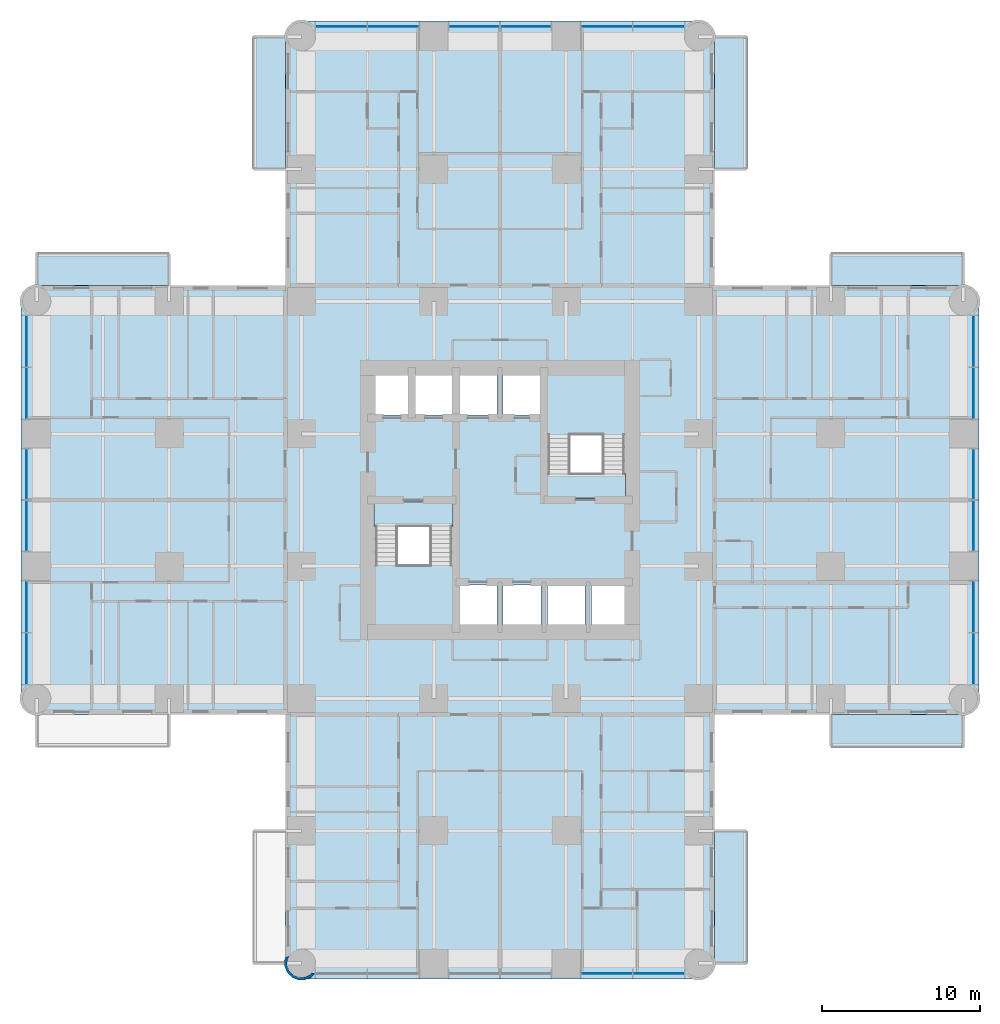
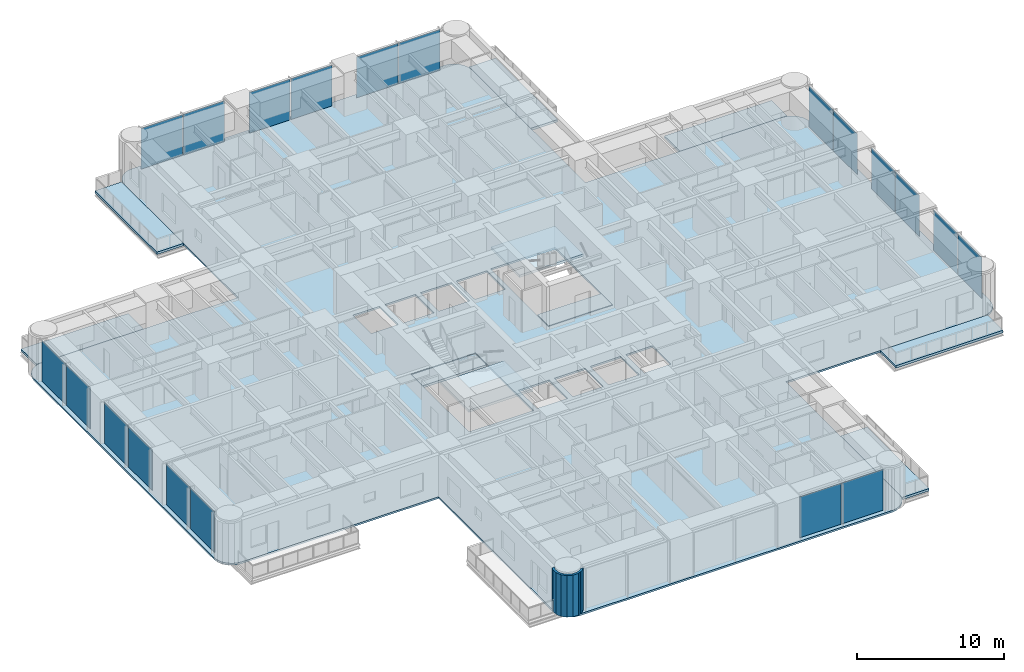
# One storey, part 6 of 17: 20 plates, 11 slabs, 1 wall, 6 elements without a shape of their own.
"""IFC4 building model written with IfcOpenShell, lengths in metres."""

from ifc_helpers import new_model, si_unit, direction, frame, origin, origin_2d, place, context, subcontext, project, spatial, polyline, rectangle, outline, extrude, material, layer, layer_set, type_object, element, aggregate, save


model = new_model("IFC4")

# Units and contexts
model_context = context("Model", 3, precision=1e-05, world=origin(), true_north=direction((0.0, 1.0)))
body_context = subcontext(model_context, "Body", "Model", "MODEL_VIEW")
ifc_project = project(units=[si_unit("LENGTHUNIT", "METRE"), si_unit("AREAUNIT", "SQUARE_METRE"), si_unit("VOLUMEUNIT", "CUBIC_METRE"), si_unit("PLANEANGLEUNIT", "RADIAN"), si_unit("MASSUNIT", "GRAM", prefix="KILO")], contexts=[model_context])

# Site, building, storey
site_placement = place(None, origin())
site = spatial("IfcSite", under=ifc_project, at=site_placement, CompositionType="ELEMENT")
building_placement = place(site_placement, origin())
building = spatial("IfcBuilding", under=site, at=building_placement, Name="Torre Alcanfor", CompositionType="ELEMENT")
storey_placement = place(building_placement, frame((0.0, 0.0, 52.5)))
storey = spatial("IfcBuildingStorey", under=building, at=storey_placement, Name="L12", CompositionType="ELEMENT", Elevation=52.5)

# Slabs
ifc_material_1 = material(Name="Concrete f'c 35 MPa", Category="concrete")
ifc_layer_1 = layer(ifc_material_1, 0.199951171875)
ifc_layer_set_1 = layer_set([ifc_layer_1], Name="Balcony slab 200")
slab_type_1 = type_object("IfcSlabType", Name="Balcony slab 200", PredefinedType="FLOOR", material=ifc_layer_set_1)
slab_1_placement = place(storey_placement, frame((0.0, 0.0, -0.199951171875)))
element("IfcSlab", 1, at=slab_1_placement, inside=storey, type_object=slab_type_1, Name="Balcony L12-N1", PredefinedType="FLOOR", context=body_context, shape_type="SweptSolid", body=[
    extrude(outline(polyline([(15.800048828125, 50.39990234375), (15.800048828125, 58.800048828125), (13.699951171875, 58.800048828125), (13.699951171875, 50.39990234375), (15.800048828125, 50.39990234375)])), origin(), (0.0, 0.0, 1.0), 0.199951171875),
])
slab_2_placement = place(storey_placement, frame((0.0, 0.0, -0.199951171875)))
element("IfcSlab", 2, at=slab_2_placement, inside=storey, type_object=slab_type_1, Name="Balcony L12-N2", PredefinedType="FLOOR", context=body_context, shape_type="SweptSolid", body=[
    extrude(outline(polyline([(45.10009765625, 50.39990234375), (45.10009765625, 58.800048828125), (43.0, 58.800048828125), (43.0, 50.39990234375), (45.10009765625, 50.39990234375)])), origin(), (0.0, 0.0, 1.0), 0.199951171875),
])
slab_3_placement = place(storey_placement, frame((0.0, 0.0, -0.199951171875)))
element("IfcSlab", 3, at=slab_3_placement, inside=storey, type_object=slab_type_1, Name="Balcony L12-E1", PredefinedType="FLOOR", context=body_context, shape_type="SweptSolid", body=[
    extrude(outline(polyline([(50.39990234375, 43.0), (58.800048828125, 43.0), (58.800048828125, 45.10009765625), (50.39990234375, 45.10009765625), (50.39990234375, 43.0)])), origin(), (0.0, 0.0, 1.0), 0.199951171875),
])
slab_4_placement = place(storey_placement, frame((0.0, 0.0, -0.199951171875)))
element("IfcSlab", 4, at=slab_4_placement, inside=storey, type_object=slab_type_1, Name="Balcony L12-E2", PredefinedType="FLOOR", context=body_context, shape_type="SweptSolid", body=[
    extrude(outline(polyline([(50.39990234375, 13.699951171875), (58.800048828125, 13.699951171875), (58.800048828125, 15.800048828125), (50.39990234375, 15.800048828125), (50.39990234375, 13.699951171875)])), origin(), (0.0, 0.0, 1.0), 0.199951171875),
])
slab_5_placement = place(storey_placement, frame((0.0, 0.0, -0.199951171875)))
element("IfcSlab", 5, at=slab_5_placement, inside=storey, type_object=slab_type_1, Name="Balcony L12-S1", PredefinedType="FLOOR", context=body_context, shape_type="SweptSolid", body=[
    extrude(outline(polyline([(43.0, 8.39990234375), (43.0, 0.0), (45.10009765625, 0.0), (45.10009765625, 8.39990234375), (43.0, 8.39990234375)])), origin(), (0.0, 0.0, 1.0), 0.199951171875),
])
slab_6_placement = place(storey_placement, frame((0.0, 0.0, -0.199951171875)))
element("IfcSlab", 6, at=slab_6_placement, inside=storey, type_object=slab_type_1, Name="Balcony L12-W2", PredefinedType="FLOOR", context=body_context, shape_type="SweptSolid", body=[
    extrude(outline(polyline([(8.39990234375, 45.10009765625), (0.0, 45.10009765625), (0.0, 43.0), (8.39990234375, 43.0), (8.39990234375, 45.10009765625)])), origin(), (0.0, 0.0, 1.0), 0.199951171875),
])

# Curtain wall, plates
ifc_material_2 = material(Name="Aluminium and glass", Category="aluminium")
curtain_wall_type = type_object("IfcCurtainWallType", Name="CW-A unitised apartment glazing with vertical FIN", PredefinedType="NOTDEFINED", material=ifc_material_2)
curtain_wall_1_placement = place(storey_placement, origin())
curtain_wall_1 = element("IfcCurtainWall", 7, at=curtain_wall_1_placement, inside=storey, type_object=curtain_wall_type, Name="Curtain wall CW-A L12 2", PredefinedType="NOTDEFINED")
ifc_material_3 = material(Name="Glass", Category="glass")
ifc_layer_2 = layer(ifc_material_3, 0.028076171875)
ifc_layer_set_2 = layer_set([ifc_layer_2], Name="CW-A clear double glazed unit")
plate_type = type_object("IfcPlateType", Name="CW-A clear double glazed unit", PredefinedType="CURTAIN_PANEL", material=ifc_layer_set_2)
plate_1_placement = place(storey_placement, frame((-0.64990234375, 39.484130859375, 0.0), z_axis=(0.0, 0.0, 1.0), x_axis=(0.0, -1.0, 0.0)))
plate_1 = element("IfcPlate", 8, at=plate_1_placement, type_object=plate_type, Name="CW-A panel 1.1.1", PredefinedType="CURTAIN_PANEL", context=body_context, shape_type="SweptSolid", body=[
    extrude(rectangle(XDim=3.232666015625, YDim=0.028076171875, at=origin_2d()), origin(), (0.0, 0.0, 1.0), 3.385009765625),
])
plate_2_placement = place(storey_placement, frame((-0.64990234375, 36.186279296875, 0.0), z_axis=(0.0, 0.0, 1.0), x_axis=(0.0, -1.0, 0.0)))
plate_2 = element("IfcPlate", 9, at=plate_2_placement, type_object=plate_type, Name="CW-A panel 1.2.1", PredefinedType="CURTAIN_PANEL", context=body_context, shape_type="SweptSolid", body=[
    extrude(rectangle(XDim=3.232666015625, YDim=0.028076171875, at=origin_2d()), origin(), (0.0, 0.0, 1.0), 3.385009765625),
])
plate_3_placement = place(storey_placement, frame((-0.64990234375, 31.03125, 0.0), z_axis=(0.0, 0.0, 1.0), x_axis=(0.0, -1.0, 0.0)))
plate_3 = element("IfcPlate", 10, at=plate_3_placement, type_object=plate_type, Name="CW-A panel 2.1.1", PredefinedType="CURTAIN_PANEL", context=body_context, shape_type="SweptSolid", body=[
    extrude(rectangle(XDim=3.197509765625, YDim=0.028076171875, at=origin_2d()), origin(), (0.0, 0.0, 1.0), 3.385009765625),
])
plate_4_placement = place(storey_placement, frame((-0.64990234375, 27.768798828125, 0.0), z_axis=(0.0, 0.0, 1.0), x_axis=(0.0, -1.0, 0.0)))
plate_4 = element("IfcPlate", 11, at=plate_4_placement, type_object=plate_type, Name="CW-A panel 2.2.1", PredefinedType="CURTAIN_PANEL", context=body_context, shape_type="SweptSolid", body=[
    extrude(rectangle(XDim=3.197509765625, YDim=0.028076171875, at=origin_2d()), origin(), (0.0, 0.0, 1.0), 3.385009765625),
])
plate_5_placement = place(storey_placement, frame((-0.64990234375, 22.613525390625, 0.0), z_axis=(0.0, 0.0, 1.0), x_axis=(0.0, -1.0, 0.0)))
plate_5 = element("IfcPlate", 12, at=plate_5_placement, type_object=plate_type, Name="CW-A panel 3.1.1", PredefinedType="CURTAIN_PANEL", context=body_context, shape_type="SweptSolid", body=[
    extrude(rectangle(XDim=3.232666015625, YDim=0.028076171875, at=origin_2d()), origin(), (0.0, 0.0, 1.0), 3.385009765625),
])
plate_6_placement = place(storey_placement, frame((-0.64990234375, 19.31591796875, 0.0), z_axis=(0.0, 0.0, 1.0), x_axis=(0.0, -1.0, 0.0)))
plate_6 = element("IfcPlate", 13, at=plate_6_placement, type_object=plate_type, Name="CW-A panel 3.2.1", PredefinedType="CURTAIN_PANEL", context=body_context, shape_type="SweptSolid", body=[
    extrude(rectangle(XDim=3.232666015625, YDim=0.028076171875, at=origin_2d()), origin(), (0.0, 0.0, 1.0), 3.385009765625),
])
aggregate(curtain_wall_1, [plate_1, plate_2, plate_3, plate_4, plate_5, plate_6])

curtain_wall_2_placement = place(storey_placement, origin())
curtain_wall_2 = element("IfcCurtainWall", 14, at=curtain_wall_2_placement, inside=storey, type_object=curtain_wall_type, Name="Curtain wall CW-A L12 5", PredefinedType="NOTDEFINED")
plate_7_placement = place(storey_placement, frame((36.186279296875, -0.64990234375, 0.0), z_axis=(0.0, 0.0, 1.0), x_axis=(1.0, 0.0, 0.0)))
plate_7 = element("IfcPlate", 15, at=plate_7_placement, type_object=plate_type, Name="CW-A panel 3.1.1", PredefinedType="CURTAIN_PANEL", context=body_context, shape_type="SweptSolid", body=[
    extrude(rectangle(XDim=3.232666015625, YDim=0.028076171875, at=origin_2d()), origin(), (0.0, 0.0, 1.0), 3.385009765625),
])
plate_8_placement = place(storey_placement, frame((39.484130859375, -0.64990234375, 0.0), z_axis=(0.0, 0.0, 1.0), x_axis=(1.0, 0.0, 0.0)))
plate_8 = element("IfcPlate", 16, at=plate_8_placement, type_object=plate_type, Name="CW-A panel 3.2.1", PredefinedType="CURTAIN_PANEL", context=body_context, shape_type="SweptSolid", body=[
    extrude(rectangle(XDim=3.232666015625, YDim=0.028076171875, at=origin_2d()), origin(), (0.0, 0.0, 1.0), 3.385009765625),
])
aggregate(curtain_wall_2, [plate_7, plate_8])

curtain_wall_3_placement = place(storey_placement, origin())
curtain_wall_3 = element("IfcCurtainWall", 17, at=curtain_wall_3_placement, inside=storey, type_object=curtain_wall_type, Name="Curtain wall CW-A L12 8", PredefinedType="NOTDEFINED")
plate_9_placement = place(storey_placement, frame((59.449951171875, 19.31591796875, 0.0), z_axis=(0.0, 0.0, 1.0), x_axis=(0.0, 1.0, 0.0)))
plate_9 = element("IfcPlate", 18, at=plate_9_placement, type_object=plate_type, Name="CW-A panel 1.1.1", PredefinedType="CURTAIN_PANEL", context=body_context, shape_type="SweptSolid", body=[
    extrude(rectangle(XDim=3.232666015625, YDim=0.028076171875, at=origin_2d()), origin(), (0.0, 0.0, 1.0), 3.385009765625),
])
plate_10_placement = place(storey_placement, frame((59.449951171875, 22.613525390625, 0.0), z_axis=(0.0, 0.0, 1.0), x_axis=(0.0, 1.0, 0.0)))
plate_10 = element("IfcPlate", 19, at=plate_10_placement, type_object=plate_type, Name="CW-A panel 1.2.1", PredefinedType="CURTAIN_PANEL", context=body_context, shape_type="SweptSolid", body=[
    extrude(rectangle(XDim=3.232666015625, YDim=0.028076171875, at=origin_2d()), origin(), (0.0, 0.0, 1.0), 3.385009765625),
])
plate_11_placement = place(storey_placement, frame((59.449951171875, 27.768798828125, 0.0), z_axis=(0.0, 0.0, 1.0), x_axis=(0.0, 1.0, 0.0)))
plate_11 = element("IfcPlate", 20, at=plate_11_placement, type_object=plate_type, Name="CW-A panel 2.1.1", PredefinedType="CURTAIN_PANEL", context=body_context, shape_type="SweptSolid", body=[
    extrude(rectangle(XDim=3.197509765625, YDim=0.028076171875, at=origin_2d()), origin(), (0.0, 0.0, 1.0), 3.385009765625),
])
plate_12_placement = place(storey_placement, frame((59.449951171875, 31.03125, 0.0), z_axis=(0.0, 0.0, 1.0), x_axis=(0.0, 1.0, 0.0)))
plate_12 = element("IfcPlate", 21, at=plate_12_placement, type_object=plate_type, Name="CW-A panel 2.2.1", PredefinedType="CURTAIN_PANEL", context=body_context, shape_type="SweptSolid", body=[
    extrude(rectangle(XDim=3.197509765625, YDim=0.028076171875, at=origin_2d()), origin(), (0.0, 0.0, 1.0), 3.385009765625),
])
plate_13_placement = place(storey_placement, frame((59.449951171875, 36.186279296875, 0.0), z_axis=(0.0, 0.0, 1.0), x_axis=(0.0, 1.0, 0.0)))
plate_13 = element("IfcPlate", 22, at=plate_13_placement, type_object=plate_type, Name="CW-A panel 3.1.1", PredefinedType="CURTAIN_PANEL", context=body_context, shape_type="SweptSolid", body=[
    extrude(rectangle(XDim=3.232666015625, YDim=0.028076171875, at=origin_2d()), origin(), (0.0, 0.0, 1.0), 3.385009765625),
])
plate_14_placement = place(storey_placement, frame((59.449951171875, 39.484130859375, 0.0), z_axis=(0.0, 0.0, 1.0), x_axis=(0.0, 1.0, 0.0)))
plate_14 = element("IfcPlate", 23, at=plate_14_placement, type_object=plate_type, Name="CW-A panel 3.2.1", PredefinedType="CURTAIN_PANEL", context=body_context, shape_type="SweptSolid", body=[
    extrude(rectangle(XDim=3.232666015625, YDim=0.028076171875, at=origin_2d()), origin(), (0.0, 0.0, 1.0), 3.385009765625),
])
aggregate(curtain_wall_3, [plate_9, plate_10, plate_11, plate_12, plate_13, plate_14])

curtain_wall_4_placement = place(storey_placement, origin())
curtain_wall_4 = element("IfcCurtainWall", 24, at=curtain_wall_4_placement, inside=storey, type_object=curtain_wall_type, Name="Curtain wall CW-A L12 11", PredefinedType="NOTDEFINED")
plate_15_placement = place(storey_placement, frame((39.484130859375, 59.449951171875, 0.0), z_axis=(0.0, 0.0, 1.0), x_axis=(-1.0, 0.0, 0.0)))
plate_15 = element("IfcPlate", 25, at=plate_15_placement, type_object=plate_type, Name="CW-A panel 1.1.1", PredefinedType="CURTAIN_PANEL", context=body_context, shape_type="SweptSolid", body=[
    extrude(rectangle(XDim=3.232666015625, YDim=0.028076171875, at=origin_2d()), origin(), (0.0, 0.0, 1.0), 3.385009765625),
])
plate_16_placement = place(storey_placement, frame((36.186279296875, 59.449951171875, 0.0), z_axis=(0.0, 0.0, 1.0), x_axis=(-1.0, 0.0, 0.0)))
plate_16 = element("IfcPlate", 26, at=plate_16_placement, type_object=plate_type, Name="CW-A panel 1.2.1", PredefinedType="CURTAIN_PANEL", context=body_context, shape_type="SweptSolid", body=[
    extrude(rectangle(XDim=3.232666015625, YDim=0.028076171875, at=origin_2d()), origin(), (0.0, 0.0, 1.0), 3.385009765625),
])
plate_17_placement = place(storey_placement, frame((31.03125, 59.449951171875, 0.0), z_axis=(0.0, 0.0, 1.0), x_axis=(-1.0, 0.0, 0.0)))
plate_17 = element("IfcPlate", 27, at=plate_17_placement, type_object=plate_type, Name="CW-A panel 2.1.1", PredefinedType="CURTAIN_PANEL", context=body_context, shape_type="SweptSolid", body=[
    extrude(rectangle(XDim=3.197509765625, YDim=0.028076171875, at=origin_2d()), origin(), (0.0, 0.0, 1.0), 3.385009765625),
])
plate_18_placement = place(storey_placement, frame((27.768798828125, 59.449951171875, 0.0), z_axis=(0.0, 0.0, 1.0), x_axis=(-1.0, 0.0, 0.0)))
plate_18 = element("IfcPlate", 28, at=plate_18_placement, type_object=plate_type, Name="CW-A panel 2.2.1", PredefinedType="CURTAIN_PANEL", context=body_context, shape_type="SweptSolid", body=[
    extrude(rectangle(XDim=3.197509765625, YDim=0.028076171875, at=origin_2d()), origin(), (0.0, 0.0, 1.0), 3.385009765625),
])
plate_19_placement = place(storey_placement, frame((22.613525390625, 59.449951171875, 0.0), z_axis=(0.0, 0.0, 1.0), x_axis=(-1.0, 0.0, 0.0)))
plate_19 = element("IfcPlate", 29, at=plate_19_placement, type_object=plate_type, Name="CW-A panel 3.1.1", PredefinedType="CURTAIN_PANEL", context=body_context, shape_type="SweptSolid", body=[
    extrude(rectangle(XDim=3.232666015625, YDim=0.028076171875, at=origin_2d()), origin(), (0.0, 0.0, 1.0), 3.385009765625),
])
plate_20_placement = place(storey_placement, frame((19.31591796875, 59.449951171875, 0.0), z_axis=(0.0, 0.0, 1.0), x_axis=(-1.0, 0.0, 0.0)))
plate_20 = element("IfcPlate", 30, at=plate_20_placement, type_object=plate_type, Name="CW-A panel 3.2.1", PredefinedType="CURTAIN_PANEL", context=body_context, shape_type="SweptSolid", body=[
    extrude(rectangle(XDim=3.232666015625, YDim=0.028076171875, at=origin_2d()), origin(), (0.0, 0.0, 1.0), 3.385009765625),
])
aggregate(curtain_wall_4, [plate_15, plate_16, plate_17, plate_18, plate_19, plate_20])

# Slab
ifc_material_4 = material(Name="Concrete f'c 35 MPa", Category="concrete")
ifc_layer_3 = layer(ifc_material_4, 0.14990234375)
ifc_layer_set_3 = layer_set([ifc_layer_3], Name="Composite floor 150 on metal deck")
slab_type_2 = type_object("IfcSlabType", Name="Composite floor 150 on metal deck", PredefinedType="FLOOR", material=ifc_layer_set_3)
slab_7_placement = place(storey_placement, frame((0.0, 0.0, -0.14990234375)))
element("IfcSlab", 31, at=slab_7_placement, inside=storey, type_object=slab_type_2, Name="Floor slab L12", PredefinedType="FLOOR", context=body_context, shape_type="SweptSolid", body=[
    extrude(outline(polyline([(15.800048828125, 43.0), (0.39990234375, 43.0), (0.03759765625, 42.952392578125), (-0.300048828125, 42.8125), (-0.58984375, 42.58984375), (-0.8125, 42.300048828125), (-0.952392578125, 41.96240234375), (-1.0, 41.60009765625), (-1.0, 17.199951171875), (-0.952392578125, 16.837646484375), (-0.8125, 16.5), (-0.58984375, 16.210205078125), (-0.300048828125, 15.987548828125), (0.03759765625, 15.84765625), (0.39990234375, 15.800048828125), (15.800048828125, 15.800048828125), (15.800048828125, 0.39990234375), (15.84765625, 0.03759765625), (15.987548828125, -0.300048828125), (16.210205078125, -0.58984375), (16.5, -0.8125), (16.837646484375, -0.952392578125), (17.199951171875, -1.0), (41.60009765625, -1.0), (41.96240234375, -0.952392578125), (42.300048828125, -0.8125), (42.58984375, -0.58984375), (42.8125, -0.300048828125), (42.952392578125, 0.03759765625), (43.0, 0.39990234375), (43.0, 15.800048828125), (58.39990234375, 15.800048828125), (58.76220703125, 15.84765625), (59.10009765625, 15.987548828125), (59.389892578125, 16.210205078125), (59.6123046875, 16.5), (59.752197265625, 16.837646484375), (59.800048828125, 17.199951171875), (59.800048828125, 41.60009765625), (59.752197265625, 41.96240234375), (59.6123046875, 42.300048828125), (59.389892578125, 42.58984375), (59.10009765625, 42.8125), (58.76220703125, 42.952392578125), (58.39990234375, 43.0), (43.0, 43.0), (43.0, 58.39990234375), (42.952392578125, 58.76220703125), (42.8125, 59.10009765625), (42.58984375, 59.389892578125), (42.300048828125, 59.6123046875), (41.96240234375, 59.752197265625), (41.60009765625, 59.800048828125), (17.199951171875, 59.800048828125), (16.837646484375, 59.752197265625), (16.5, 59.6123046875), (16.210205078125, 59.389892578125), (15.987548828125, 59.10009765625), (15.84765625, 58.76220703125), (15.800048828125, 58.39990234375), (15.800048828125, 43.0)]), holes=[polyline([(21.419921875, 21.419921875), (26.47998046875, 21.419921875), (26.47998046875, 29.280029296875), (21.419921875, 29.280029296875), (21.419921875, 21.419921875)]), polyline([(32.320068359375, 29.52001953125), (37.3798828125, 29.52001953125), (37.3798828125, 37.3798828125), (32.320068359375, 37.3798828125), (32.320068359375, 29.52001953125)]), polyline([(26.800048828125, 21.5), (29.199951171875, 21.5), (29.199951171875, 24.0), (26.800048828125, 24.0), (26.800048828125, 21.5)]), polyline([(29.60009765625, 21.5), (32.0, 21.5), (32.0, 24.0), (29.60009765625, 24.0), (29.60009765625, 21.5)]), polyline([(32.39990234375, 21.5), (34.800048828125, 21.5), (34.800048828125, 24.0), (32.39990234375, 24.0), (32.39990234375, 21.5)]), polyline([(35.199951171875, 21.5), (37.300048828125, 21.5), (37.300048828125, 24.0), (35.199951171875, 24.0), (35.199951171875, 21.5)]), polyline([(21.5, 34.800048828125), (23.60009765625, 34.800048828125), (23.60009765625, 37.300048828125), (21.5, 37.300048828125), (21.5, 34.800048828125)]), polyline([(24.0, 34.800048828125), (26.39990234375, 34.800048828125), (26.39990234375, 37.300048828125), (24.0, 37.300048828125), (24.0, 34.800048828125)]), polyline([(26.800048828125, 34.800048828125), (29.199951171875, 34.800048828125), (29.199951171875, 37.300048828125), (26.800048828125, 37.300048828125), (26.800048828125, 34.800048828125)]), polyline([(29.60009765625, 34.800048828125), (32.0, 34.800048828125), (32.0, 37.300048828125), (29.60009765625, 37.300048828125), (29.60009765625, 34.800048828125)])]), origin(), (0.0, 0.0, 1.0), 0.14990234375),
])

# Stair, slabs
ifc_material_5 = material(Name="Concrete f'c 35 MPa", Category="concrete")
stair_type_1 = type_object("IfcStairType", Name="Exit stair S1 1400 wide", PredefinedType="HALF_TURN_STAIR", material=ifc_material_5)
stair_1_placement = place(storey_placement, origin())
stair_1 = element("IfcStair", 32, at=stair_1_placement, inside=storey, type_object=stair_type_1, Name="Stair S1 L12 to L13", PredefinedType="HALF_TURN_STAIR")
ifc_material_6 = material(Name="Concrete f'c 35 MPa", Category="concrete")
ifc_layer_4 = layer(ifc_material_6, 0.199951171875)
ifc_layer_set_4 = layer_set([ifc_layer_4], Name="Stair landing 200")
slab_type_3 = type_object("IfcSlabType", Name="Stair landing 200", PredefinedType="LANDING", material=ifc_layer_set_4)
slab_8_placement = place(storey_placement, frame((0.0, 0.0, -0.199951171875)))
slab_8 = element("IfcSlab", 33, at=slab_8_placement, type_object=slab_type_3, Name="S1 landing 1", PredefinedType="LANDING", context=body_context, shape_type="SweptSolid", body=[
    extrude(outline(polyline([(21.419921875, 27.699951171875), (26.429931640625, 27.699951171875), (26.429931640625, 29.22998046875), (21.419921875, 29.22998046875), (21.419921875, 27.699951171875)])), origin(), (0.0, 0.0, 1.0), 0.199951171875),
])
slab_9_placement = place(storey_placement, frame((0.0, 0.0, 1.60009765625)))
slab_9 = element("IfcSlab", 34, at=slab_9_placement, type_object=slab_type_3, Name="S1 landing 2", PredefinedType="LANDING", context=body_context, shape_type="SweptSolid", body=[
    extrude(outline(polyline([(21.419921875, 21.419921875), (26.429931640625, 21.419921875), (26.429931640625, 25.280029296875), (21.419921875, 25.280029296875), (21.419921875, 21.419921875)])), origin(), (0.0, 0.0, 1.0), 0.199951171875),
])
aggregate(stair_1, [slab_8, slab_9])

ifc_material_7 = material(Name="Concrete f'c 35 MPa", Category="concrete")
stair_type_2 = type_object("IfcStairType", Name="Exit stair S2 1400 wide", PredefinedType="HALF_TURN_STAIR", material=ifc_material_7)
stair_2_placement = place(storey_placement, origin())
stair_2 = element("IfcStair", 35, at=stair_2_placement, inside=storey, type_object=stair_type_2, Name="Stair S2 L12 to L13", PredefinedType="HALF_TURN_STAIR")
slab_10_placement = place(storey_placement, frame((0.0, 0.0, -0.199951171875)))
slab_10 = element("IfcSlab", 36, at=slab_10_placement, type_object=slab_type_3, Name="S2 landing 1", PredefinedType="LANDING", context=body_context, shape_type="SweptSolid", body=[
    extrude(outline(polyline([(32.3701171875, 29.570068359375), (37.3798828125, 29.570068359375), (37.3798828125, 31.10009765625), (32.3701171875, 31.10009765625), (32.3701171875, 29.570068359375)])), origin(), (0.0, 0.0, 1.0), 0.199951171875),
])
slab_11_placement = place(storey_placement, frame((0.0, 0.0, 1.60009765625)))
slab_11 = element("IfcSlab", 37, at=slab_11_placement, type_object=slab_type_3, Name="S2 landing 2", PredefinedType="LANDING", context=body_context, shape_type="SweptSolid", body=[
    extrude(outline(polyline([(32.3701171875, 33.52001953125), (37.3798828125, 33.52001953125), (37.3798828125, 37.3798828125), (32.3701171875, 37.3798828125), (32.3701171875, 33.52001953125)])), origin(), (0.0, 0.0, 1.0), 0.199951171875),
])
aggregate(stair_2, [slab_10, slab_11])

# Wall
ifc_material_8 = material(Name="Limestone cladding", Category="masonry")
ifc_layer_5 = layer(ifc_material_8, 0.0400390625, Name="Facing")
ifc_material_9 = material(Name="Ventilated air cavity")
ifc_layer_6 = layer(ifc_material_9, 0.02001953125, ventilated=True, Name="Ventilated joint")
ifc_material_10 = material(Name="Mineral wool insulation", Category="insulation")
ifc_layer_7 = layer(ifc_material_10, 0.10009765625, Name="Insulation")
ifc_material_11 = material(Name="Concrete f'c 35 MPa", Category="concrete")
ifc_layer_8 = layer(ifc_material_11, 0.139892578125, Name="Backing")
ifc_layer_set_5 = layer_set([ifc_layer_5, ifc_layer_6, ifc_layer_7, ifc_layer_8], Name="Rounded corner pier stone-clad 300")
wall_type = type_object("IfcWallType", Name="Rounded corner pier stone-clad 300", PredefinedType="SOLIDWALL", material=ifc_layer_set_5)
wall_placement = place(storey_placement, frame((15.890092843, 0.363962863, 0.0), z_axis=(0.0, 0.0, 1.0), x_axis=(-0.377204953059, -0.926129809145, 0.0)))
element("IfcWall", 38, at=wall_placement, inside=storey, type_object=wall_type, Name="Corner pier L12 15", PredefinedType="SOLIDWALL", context=body_context, shape_type="SweptSolid", body=[
    extrude(outline(polyline([(0.36025406326845444, 1.8033251535395152), (0.5088520451897254, 1.7407402151136773), (0.7605729288027181, 1.4858036812916837), (0.8957625945963965, 1.1538802047718164), (0.8938847377533284, 0.7953914035812757), (0.7547773157275899, 0.46510295554213366), (0.4997067670481534, 0.21306387496571194), (0.16778329052828606, 0.07787420917203358), (-0.09994023900030424, 0.0795504548732244), (0.0006804239564057041, -0.09694899646014049), (0.029999294732247404, -0.08026261581225796), (0.19856690358048068, -0.0812004843578153), (0.5888257049928043, 0.07774867310804906), (0.8888185520201115, 0.37418200048294215), (1.0525847078153452, 0.7630186897929918), (1.0551554850896743, 1.184529802966568), (0.896114236570817, 1.5750147102893275), (0.7776681844062314, 1.6949582431572732), (0.7691216165340404, 1.727592391840862), (0.7502462480266835, 1.7228043636692119), (0.599680909195924, 1.8750075573166347), (0.2945300212676607, 2.0035278056043833), (0.2809636666415082, 1.9980023424248052), (0.36025406326845444, 1.8033251535395152)])), origin(), (0.0, 0.0, 1.0), 3.449951171875),
])

save(model, "model.ifc")
